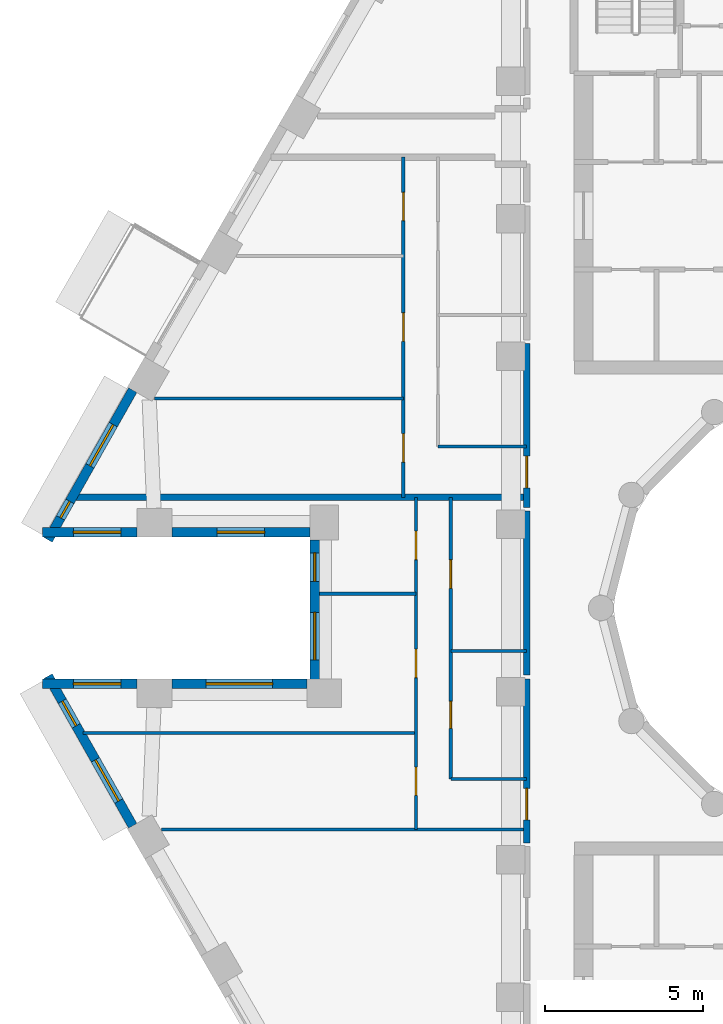
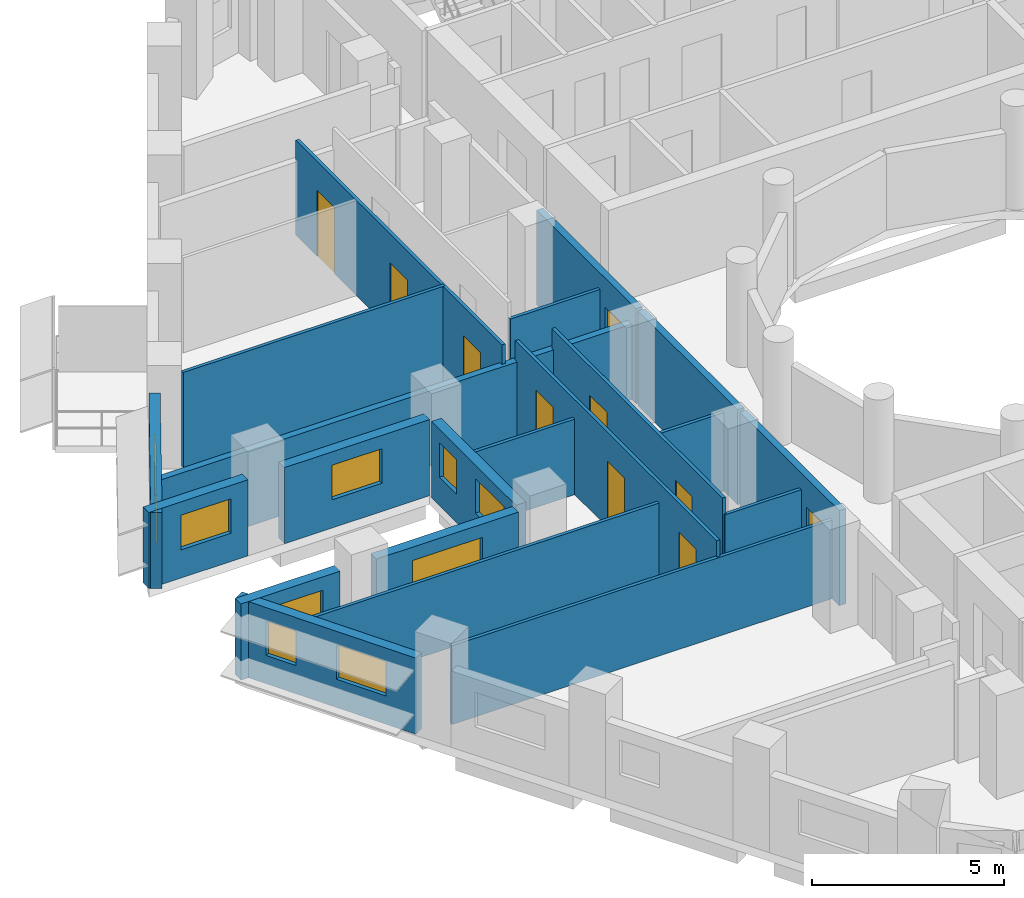
# One storey, part 4 of 14: 21 walls, 10 doors, 10 windows, 20 openings.
"""IFC4 building model written with IfcOpenShell, lengths in metres."""

from ifc_helpers import new_model, si_unit, direction, frame, frame_2d, origin, place, context, subcontext, project, spatial, rectangle, extrude, material, layer, layer_set, type_object, element, fill, save


model = new_model("IFC4")

# Units and contexts
model_context = context("Model", 3, precision=1e-05, world=origin(), true_north=direction((0.0, 1.0)))
body_context = subcontext(model_context, "Body", "Model", "MODEL_VIEW")
ifc_project = project(units=[si_unit("LENGTHUNIT", "METRE"), si_unit("AREAUNIT", "SQUARE_METRE"), si_unit("VOLUMEUNIT", "CUBIC_METRE"), si_unit("PLANEANGLEUNIT", "RADIAN"), si_unit("MASSUNIT", "GRAM", prefix="KILO")], contexts=[model_context])

# Site, building, storey
site_placement = place(None, origin())
site = spatial("IfcSite", under=ifc_project, at=site_placement, CompositionType="ELEMENT")
building_placement = place(site_placement, origin())
building = spatial("IfcBuilding", under=site, at=building_placement, Name="Nakaniwa Court", CompositionType="ELEMENT")
storey_placement = place(building_placement, frame((0.0, 0.0, 262.5)))
storey = spatial("IfcBuildingStorey", under=building, at=storey_placement, Name="L69", CompositionType="ELEMENT", Elevation=262.5)

# Wall, opening, door
ifc_material_1 = material(Name="Acoustic double stud partition")
ifc_layer_1 = layer(ifc_material_1, 0.199951171875)
ifc_layer_set_1 = layer_set([ifc_layer_1], Name="Acoustic double stud partition")
wall_type_1 = type_object("IfcWallType", Name="Acoustic double stud partition 200", PredefinedType="PARTITIONING", material=ifc_layer_set_1)
wall_1_placement = place(storey_placement, frame((70.5, 72.576904296875, 0.0), z_axis=(0.0, 0.0, 1.0), x_axis=(0.0, 1.0, 0.0)))
wall_1 = element("IfcWall", 1, at=wall_1_placement, inside=storey, type_object=wall_type_1, Name="Partition PW-089", PredefinedType="PARTITIONING", context=body_context, shape_type="SweptSolid", body=[
    extrude(rectangle(XDim=5.18603515625, YDim=0.199951171875, at=frame_2d((2.593017578125, 0.0))), origin(), (0.0, 0.0, 1.0), 3.02490234375),
])
opening_1_placement = place(wall_1_placement, frame((0.722900390625, 0.0, 0.0)))
opening_1 = element("IfcOpeningElement", 2, at=opening_1_placement, cuts=wall_1, Name="Opening D-01-04", PredefinedType="OPENING", context=body_context, shape_type="SweptSolid", body=[
    extrude(rectangle(XDim=1.0, YDim=2.10009765625, at=frame_2d((0.5, 1.050048828125))), frame((0.0, 0.10986328125, 0.0), z_axis=(0.0, -1.0, 0.0), x_axis=(1.0, 0.0, 0.0)), (0.0, 0.0, 1.0), 0.219970703125),
])
ifc_material_2 = material(Name="Solid core timber door set, black veneer", Category="wood")
door_type_1 = type_object("IfcDoorType", Name="Flat entrance door 1000", OperationType="NOTDEFINED", PredefinedType="DOOR", material=ifc_material_2)
door_1_placement = place(opening_1_placement, origin())
door_1 = element("IfcDoor", 3, at=door_1_placement, inside=storey, type_object=door_type_1, Name="Door D-01-04 L69-042", OperationType="SINGLE_SWING_LEFT", OverallHeight=2.10009765625, OverallWidth=1.0, PredefinedType="DOOR", context=body_context, shape_type="SweptSolid", body=[
    extrude(rectangle(XDim=1.0, YDim=2.10009765625, at=frame_2d((0.5, 1.050048828125))), frame((0.0, 0.02490234375, 0.0), z_axis=(0.0, -1.0, 0.0), x_axis=(1.0, 0.0, 0.0)), (0.0, 0.0, 1.0), 0.050048828125),
])
fill(opening_1, door_1)

# Wall
wall_2_placement = place(storey_placement, frame((70.5, 77.876953125, 0.0), z_axis=(0.0, 0.0, 1.0), x_axis=(0.0, 1.0, 0.0)))
element("IfcWall", 4, at=wall_2_placement, inside=storey, type_object=wall_type_1, Name="Partition PW-090", PredefinedType="PARTITIONING", context=body_context, shape_type="SweptSolid", body=[
    extrude(rectangle(XDim=5.18603515625, YDim=0.199951171875, at=frame_2d((2.593017578125, 0.0))), origin(), (0.0, 0.0, 1.0), 3.02490234375),
])

# Wall, opening, door
wall_3_placement = place(storey_placement, frame((70.5, 83.177001953125, 0.0), z_axis=(0.0, 0.0, 1.0), x_axis=(0.0, 1.0, 0.0)))
wall_3 = element("IfcWall", 5, at=wall_3_placement, inside=storey, type_object=wall_type_1, Name="Partition PW-091", PredefinedType="PARTITIONING", context=body_context, shape_type="SweptSolid", body=[
    extrude(rectangle(XDim=5.18603515625, YDim=0.199951171875, at=frame_2d((2.593017578125, 0.0))), origin(), (0.0, 0.0, 1.0), 3.02490234375),
])
opening_2_placement = place(wall_3_placement, frame((0.623046875, 0.0, 0.0)))
opening_2 = element("IfcOpeningElement", 6, at=opening_2_placement, cuts=wall_3, Name="Opening D-01-05", PredefinedType="OPENING", context=body_context, shape_type="SweptSolid", body=[
    extrude(rectangle(XDim=1.0, YDim=2.10009765625, at=frame_2d((0.5, 1.050048828125))), frame((0.0, 0.10986328125, 0.0), z_axis=(0.0, -1.0, 0.0), x_axis=(1.0, 0.0, 0.0)), (0.0, 0.0, 1.0), 0.219970703125),
])
door_2_placement = place(opening_2_placement, origin())
door_2 = element("IfcDoor", 7, at=door_2_placement, inside=storey, type_object=door_type_1, Name="Door D-01-05 L69-048", OperationType="SINGLE_SWING_LEFT", OverallHeight=2.10009765625, OverallWidth=1.0, PredefinedType="DOOR", context=body_context, shape_type="SweptSolid", body=[
    extrude(rectangle(XDim=1.0, YDim=2.10009765625, at=frame_2d((0.5, 1.050048828125))), frame((0.0, 0.02490234375, 0.0), z_axis=(0.0, -1.0, 0.0), x_axis=(1.0, 0.0, 0.0)), (0.0, 0.0, 1.0), 0.050048828125),
])
fill(opening_2, door_2)

# Wall
wall_4_placement = place(storey_placement, frame((56.213134765625, 83.5, 0.0), z_axis=(0.0, 0.0, 1.0), x_axis=(1.0, 0.0, 0.0)))
element("IfcWall", 8, at=wall_4_placement, inside=storey, type_object=wall_type_1, Name="Partition PW-116", PredefinedType="PARTITIONING", context=body_context, shape_type="SweptSolid", body=[
    extrude(rectangle(XDim=14.286865234375, YDim=0.199951171875, at=frame_2d((7.1435546875, 0.0))), origin(), (0.0, 0.0, 1.0), 2.405029296875),
])

# Wall, openings, windows
ifc_material_3 = material(Name="Charcoal ceramic cladding")
ifc_layer_2 = layer(ifc_material_3, 0.02, Name="Ceramic cladding")
ifc_material_4 = material(Name="Ventilated air cavity")
ifc_layer_3 = layer(ifc_material_4, 0.04, ventilated=True, Name="Ventilated cavity")
ifc_material_5 = material(Name="Mineral wool insulation")
ifc_layer_4 = layer(ifc_material_5, 0.1, Name="Insulation")
ifc_material_6 = material(Name="Cement bonded sheathing board")
ifc_layer_5 = layer(ifc_material_6, 0.012, Name="Sheathing")
ifc_material_7 = material(Name="Cold-formed galvanised stud frame with mineral wool infill")
ifc_layer_6 = layer(ifc_material_7, 0.1, Name="Stud frame")
ifc_material_8 = material(Name="Fire-rated gypsum plasterboard lining")
ifc_layer_7 = layer(ifc_material_8, 0.028, Name="Lining")
ifc_layer_set_2 = layer_set([ifc_layer_2, ifc_layer_3, ifc_layer_4, ifc_layer_5, ifc_layer_6, ifc_layer_7], Name="Charcoal ceramic faced external wall system")
wall_type_2 = type_object("IfcWallType", Name="Black ceramic faced external wall 300", PredefinedType="SOLIDWALL", material=ifc_layer_set_2)
wall_5_placement = place(storey_placement, frame((58.048095703125, 86.886474609375, 0.0), z_axis=(0.0, 0.0, 1.0), x_axis=(-0.492080931903, -0.870549456641, 0.0)))
wall_5 = element("IfcWall", 9, at=wall_5_placement, inside=storey, type_object=wall_type_2, Name="L69 external wall 14", PredefinedType="SOLIDWALL", context=body_context, shape_type="SweptSolid", body=[
    extrude(rectangle(XDim=5.436767578125, YDim=0.300048828125, at=frame_2d((2.71826171875, 0.0))), origin(), (0.0, 0.0, 1.0), 2.425048828125),
])
opening_3_placement = place(wall_5_placement, frame((1.251220703125, 0.0, 0.89990234375)))
opening_3 = element("IfcOpeningElement", 10, at=opening_3_placement, cuts=wall_5, Name="Opening W5.11", PredefinedType="OPENING", context=body_context, shape_type="SweptSolid", body=[
    extrude(rectangle(XDim=1.5, YDim=1.10009765625, at=frame_2d((0.75, 0.550048828125))), frame((0.0, 0.159912109375, 0.0), z_axis=(0.0, -1.0, 0.0), x_axis=(1.0, 0.0, 0.0)), (0.0, 0.0, 1.0), 0.320068359375),
])
opening_4_placement = place(wall_5_placement, frame((4.03955078125, 0.0, 0.89990234375)))
opening_4 = element("IfcOpeningElement", 11, at=opening_4_placement, cuts=wall_5, Name="Opening W8.12", PredefinedType="OPENING", context=body_context, shape_type="SweptSolid", body=[
    extrude(rectangle(XDim=0.60009765625, YDim=1.10009765625, at=frame_2d((0.300048828125, 0.550048828125))), frame((0.0, 0.159912109375, 0.0), z_axis=(0.0, -1.0, 0.0), x_axis=(1.0, 0.0, 0.0)), (0.0, 0.0, 1.0), 0.320068359375),
])
ifc_material_9 = material(Name="Black anodised aluminium frame with dark low-E laminated double glazing", Category="aluminium")
window_type_1 = type_object("IfcWindowType", Name="Dark glass window 1500x1100 sill 900", PartitioningType="SINGLE_PANEL", PredefinedType="WINDOW", material=ifc_material_9)
window_1_placement = place(opening_3_placement, origin())
window_1 = element("IfcWindow", 12, at=window_1_placement, inside=storey, type_object=window_type_1, Name="L69 bedroom window 14-0", OverallHeight=1.10009765625, OverallWidth=1.5, PartitioningType="SINGLE_PANEL", PredefinedType="WINDOW", context=body_context, shape_type="SweptSolid", body=[
    extrude(rectangle(XDim=1.5, YDim=1.10009765625, at=frame_2d((0.75, 0.550048828125))), frame((0.0, 0.030029296875, 0.0), z_axis=(0.0, -1.0, 0.0), x_axis=(1.0, 0.0, 0.0)), (0.0, 0.0, 1.0), 0.06005859375),
])
fill(opening_3, window_1)
window_type_2 = type_object("IfcWindowType", Name="Dark glass window 600x1100 sill 900", PartitioningType="SINGLE_PANEL", PredefinedType="WINDOW", material=ifc_material_9)
window_2_placement = place(opening_4_placement, origin())
window_2 = element("IfcWindow", 13, at=window_2_placement, inside=storey, type_object=window_type_2, Name="L69 bedroom window 14-1", OverallHeight=1.10009765625, OverallWidth=0.60009765625, PartitioningType="SINGLE_PANEL", PredefinedType="WINDOW", context=body_context, shape_type="SweptSolid", body=[
    extrude(rectangle(XDim=0.60009765625, YDim=1.10009765625, at=frame_2d((0.300048828125, 0.550048828125))), frame((0.0, 0.030029296875, 0.0), z_axis=(0.0, -1.0, 0.0), x_axis=(1.0, 0.0, 0.0)), (0.0, 0.0, 1.0), 0.06005859375),
])
fill(opening_4, window_2)

# Wall, opening, window
wall_6_placement = place(storey_placement, frame((55.2021484375, 82.39990234375, 0.0), z_axis=(0.0, 0.0, 1.0), x_axis=(1.0, 0.0, 0.0)))
wall_6 = element("IfcWall", 14, at=wall_6_placement, inside=storey, type_object=wall_type_2, Name="L69 external wall 15", PredefinedType="SOLIDWALL", context=body_context, shape_type="SweptSolid", body=[
    extrude(rectangle(XDim=2.98779296875, YDim=0.300048828125, at=frame_2d((1.493896484375, 0.0))), origin(), (0.0, 0.0, 1.0), 2.425048828125),
])
opening_5_placement = place(wall_6_placement, frame((0.968994140625, 0.0, 0.89990234375)))
opening_5 = element("IfcOpeningElement", 15, at=opening_5_placement, cuts=wall_6, Name="Opening W5.13", PredefinedType="OPENING", context=body_context, shape_type="SweptSolid", body=[
    extrude(rectangle(XDim=1.5, YDim=1.10009765625, at=frame_2d((0.75, 0.550048828125))), frame((0.0, 0.159912109375, 0.0), z_axis=(0.0, -1.0, 0.0), x_axis=(1.0, 0.0, 0.0)), (0.0, 0.0, 1.0), 0.320068359375),
])
window_3_placement = place(opening_5_placement, origin())
window_3 = element("IfcWindow", 16, at=window_3_placement, inside=storey, type_object=window_type_1, Name="L69 bedroom window 15-0", OverallHeight=1.10009765625, OverallWidth=1.5, PartitioningType="SINGLE_PANEL", PredefinedType="WINDOW", context=body_context, shape_type="SweptSolid", body=[
    extrude(rectangle(XDim=1.5, YDim=1.10009765625, at=frame_2d((0.75, 0.550048828125))), frame((0.0, 0.030029296875, 0.0), z_axis=(0.0, -1.0, 0.0), x_axis=(1.0, 0.0, 0.0)), (0.0, 0.0, 1.0), 0.06005859375),
])
fill(opening_5, window_3)

wall_7_placement = place(storey_placement, frame((59.281982421875, 82.39990234375, 0.0), z_axis=(0.0, 0.0, 1.0), x_axis=(1.0, 0.0, 0.0)))
wall_7 = element("IfcWall", 17, at=wall_7_placement, inside=storey, type_object=wall_type_2, Name="L69 external wall 16", PredefinedType="SOLIDWALL", context=body_context, shape_type="SweptSolid", body=[
    extrude(rectangle(XDim=4.37255859375, YDim=0.300048828125, at=frame_2d((2.186279296875, 0.0))), origin(), (0.0, 0.0, 1.0), 2.425048828125),
])
opening_6_placement = place(wall_7_placement, frame((1.436279296875, 0.0, 0.89990234375)))
opening_6 = element("IfcOpeningElement", 18, at=opening_6_placement, cuts=wall_7, Name="Opening W5.14", PredefinedType="OPENING", context=body_context, shape_type="SweptSolid", body=[
    extrude(rectangle(XDim=1.5, YDim=1.10009765625, at=frame_2d((0.75, 0.550048828125))), frame((0.0, 0.159912109375, 0.0), z_axis=(0.0, -1.0, 0.0), x_axis=(1.0, 0.0, 0.0)), (0.0, 0.0, 1.0), 0.320068359375),
])
window_4_placement = place(opening_6_placement, origin())
window_4 = element("IfcWindow", 19, at=window_4_placement, inside=storey, type_object=window_type_1, Name="L69 bedroom window 16-0", OverallHeight=1.10009765625, OverallWidth=1.5, PartitioningType="SINGLE_PANEL", PredefinedType="WINDOW", context=body_context, shape_type="SweptSolid", body=[
    extrude(rectangle(XDim=1.5, YDim=1.10009765625, at=frame_2d((0.75, 0.550048828125))), frame((0.0, 0.030029296875, 0.0), z_axis=(0.0, -1.0, 0.0), x_axis=(1.0, 0.0, 0.0)), (0.0, 0.0, 1.0), 0.06005859375),
])
fill(opening_6, window_4)

# Wall, openings, windows
wall_8_placement = place(storey_placement, frame((63.800537109375, 82.154052734375, 0.0), z_axis=(0.0, 0.0, 1.0), x_axis=(0.0, -1.0, 0.0)))
wall_8 = element("IfcWall", 20, at=wall_8_placement, inside=storey, type_object=wall_type_2, Name="L69 external wall 17", PredefinedType="SOLIDWALL", context=body_context, shape_type="SweptSolid", body=[
    extrude(rectangle(XDim=4.407958984375, YDim=0.300048828125, at=frame_2d((2.2041015625, 0.0))), origin(), (0.0, 0.0, 1.0), 2.425048828125),
])
opening_7_placement = place(wall_8_placement, frame((0.4130859375, 0.0, 0.89990234375)))
opening_7 = element("IfcOpeningElement", 21, at=opening_7_placement, cuts=wall_8, Name="Opening W9.15", PredefinedType="OPENING", context=body_context, shape_type="SweptSolid", body=[
    extrude(rectangle(XDim=0.89990234375, YDim=1.10009765625, at=frame_2d((0.449951171875, 0.550048828125))), frame((0.0, 0.159912109375, 0.0), z_axis=(0.0, -1.0, 0.0), x_axis=(1.0, 0.0, 0.0)), (0.0, 0.0, 1.0), 0.320068359375),
])
opening_8_placement = place(wall_8_placement, frame((2.293212890625, 0.0, 0.89990234375)))
opening_8 = element("IfcOpeningElement", 22, at=opening_8_placement, cuts=wall_8, Name="Opening W5.16", PredefinedType="OPENING", context=body_context, shape_type="SweptSolid", body=[
    extrude(rectangle(XDim=1.5, YDim=1.10009765625, at=frame_2d((0.75, 0.550048828125))), frame((0.0, 0.159912109375, 0.0), z_axis=(0.0, -1.0, 0.0), x_axis=(1.0, 0.0, 0.0)), (0.0, 0.0, 1.0), 0.320068359375),
])
window_5_placement = place(opening_8_placement, origin())
window_5 = element("IfcWindow", 23, at=window_5_placement, inside=storey, type_object=window_type_1, Name="L69 living window 17-1", OverallHeight=1.10009765625, OverallWidth=1.5, PartitioningType="SINGLE_PANEL", PredefinedType="WINDOW", context=body_context, shape_type="SweptSolid", body=[
    extrude(rectangle(XDim=1.5, YDim=1.10009765625, at=frame_2d((0.75, 0.550048828125))), frame((0.0, 0.030029296875, 0.0), z_axis=(0.0, -1.0, 0.0), x_axis=(1.0, 0.0, 0.0)), (0.0, 0.0, 1.0), 0.06005859375),
])
fill(opening_8, window_5)
window_type_3 = type_object("IfcWindowType", Name="Dark glass window 900x1100 sill 900", PartitioningType="SINGLE_PANEL", PredefinedType="WINDOW", material=ifc_material_9)
window_6_placement = place(opening_7_placement, origin())
window_6 = element("IfcWindow", 24, at=window_6_placement, inside=storey, type_object=window_type_3, Name="L69 bedroom window 17-0", OverallHeight=1.10009765625, OverallWidth=0.89990234375, PartitioningType="SINGLE_PANEL", PredefinedType="WINDOW", context=body_context, shape_type="SweptSolid", body=[
    extrude(rectangle(XDim=0.89990234375, YDim=1.10009765625, at=frame_2d((0.449951171875, 0.550048828125))), frame((0.0, 0.030029296875, 0.0), z_axis=(0.0, -1.0, 0.0), x_axis=(1.0, 0.0, 0.0)), (0.0, 0.0, 1.0), 0.06005859375),
])
fill(opening_7, window_6)

# Wall, opening, window
wall_9_placement = place(storey_placement, frame((63.554443359375, 77.60009765625, 0.0), z_axis=(0.0, 0.0, 1.0), x_axis=(-1.0, 0.0, 0.0)))
wall_9 = element("IfcWall", 25, at=wall_9_placement, inside=storey, type_object=wall_type_2, Name="L69 external wall 18", PredefinedType="SOLIDWALL", context=body_context, shape_type="SweptSolid", body=[
    extrude(rectangle(XDim=4.2724609375, YDim=0.300048828125, at=frame_2d((2.13623046875, 0.0))), origin(), (0.0, 0.0, 1.0), 2.425048828125),
])
opening_9_placement = place(wall_9_placement, frame((1.086181640625, 0.0, 0.89990234375)))
opening_9 = element("IfcOpeningElement", 26, at=opening_9_placement, cuts=wall_9, Name="Opening W7.17", PredefinedType="OPENING", context=body_context, shape_type="SweptSolid", body=[
    extrude(rectangle(XDim=2.10009765625, YDim=1.10009765625, at=frame_2d((1.050048828125, 0.550048828125))), frame((0.0, 0.159912109375, 0.0), z_axis=(0.0, -1.0, 0.0), x_axis=(1.0, 0.0, 0.0)), (0.0, 0.0, 1.0), 0.320068359375),
])
window_type_4 = type_object("IfcWindowType", Name="Dark glass window 2100x1100 sill 900", PartitioningType="SINGLE_PANEL", PredefinedType="WINDOW", material=ifc_material_9)
window_7_placement = place(opening_9_placement, origin())
window_7 = element("IfcWindow", 27, at=window_7_placement, inside=storey, type_object=window_type_4, Name="L69 living window 18-0", OverallHeight=1.10009765625, OverallWidth=2.10009765625, PartitioningType="SINGLE_PANEL", PredefinedType="WINDOW", context=body_context, shape_type="SweptSolid", body=[
    extrude(rectangle(XDim=2.10009765625, YDim=1.10009765625, at=frame_2d((1.050048828125, 0.550048828125))), frame((0.0, 0.030029296875, 0.0), z_axis=(0.0, -1.0, 0.0), x_axis=(1.0, 0.0, 0.0)), (0.0, 0.0, 1.0), 0.06005859375),
])
fill(opening_9, window_7)

wall_10_placement = place(storey_placement, frame((58.18994140625, 77.60009765625, 0.0), z_axis=(0.0, 0.0, 1.0), x_axis=(-1.0, 0.0, 0.0)))
wall_10 = element("IfcWall", 28, at=wall_10_placement, inside=storey, type_object=wall_type_2, Name="L69 external wall 19", PredefinedType="SOLIDWALL", context=body_context, shape_type="SweptSolid", body=[
    extrude(rectangle(XDim=2.98779296875, YDim=0.300048828125, at=frame_2d((1.493896484375, 0.0))), origin(), (0.0, 0.0, 1.0), 2.425048828125),
])
opening_10_placement = place(wall_10_placement, frame((0.51904296875, 0.0, 0.89990234375)))
opening_10 = element("IfcOpeningElement", 29, at=opening_10_placement, cuts=wall_10, Name="Opening W5.18", PredefinedType="OPENING", context=body_context, shape_type="SweptSolid", body=[
    extrude(rectangle(XDim=1.5, YDim=1.10009765625, at=frame_2d((0.75, 0.550048828125))), frame((0.0, 0.159912109375, 0.0), z_axis=(0.0, -1.0, 0.0), x_axis=(1.0, 0.0, 0.0)), (0.0, 0.0, 1.0), 0.320068359375),
])
window_8_placement = place(opening_10_placement, origin())
window_8 = element("IfcWindow", 30, at=window_8_placement, inside=storey, type_object=window_type_1, Name="L69 living window 19-0", OverallHeight=1.10009765625, OverallWidth=1.5, PartitioningType="SINGLE_PANEL", PredefinedType="WINDOW", context=body_context, shape_type="SweptSolid", body=[
    extrude(rectangle(XDim=1.5, YDim=1.10009765625, at=frame_2d((0.75, 0.550048828125))), frame((0.0, 0.030029296875, 0.0), z_axis=(0.0, -1.0, 0.0), x_axis=(1.0, 0.0, 0.0)), (0.0, 0.0, 1.0), 0.06005859375),
])
fill(opening_10, window_8)

# Wall, openings, windows
wall_11_placement = place(storey_placement, frame((55.372802734375, 77.846435546875, 0.0), z_axis=(0.0, 0.0, 1.0), x_axis=(0.492080931903, -0.870549456641, 0.0)))
wall_11 = element("IfcWall", 31, at=wall_11_placement, inside=storey, type_object=wall_type_2, Name="L69 external wall 20", PredefinedType="SOLIDWALL", context=body_context, shape_type="SweptSolid", body=[
    extrude(rectangle(XDim=5.436767578125, YDim=0.300048828125, at=frame_2d((2.71826171875, 0.0))), origin(), (0.0, 0.0, 1.0), 2.425048828125),
])
opening_11_placement = place(wall_11_placement, frame((0.906494140625, 0.0, 0.89990234375)))
opening_11 = element("IfcOpeningElement", 32, at=opening_11_placement, cuts=wall_11, Name="Opening W9.19", PredefinedType="OPENING", context=body_context, shape_type="SweptSolid", body=[
    extrude(rectangle(XDim=0.89990234375, YDim=1.10009765625, at=frame_2d((0.449951171875, 0.550048828125))), frame((0.0, 0.159912109375, 0.0), z_axis=(0.0, -1.0, 0.0), x_axis=(1.0, 0.0, 0.0)), (0.0, 0.0, 1.0), 0.320068359375),
])
opening_12_placement = place(wall_11_placement, frame((3.036376953125, 0.0, 0.89990234375)))
opening_12 = element("IfcOpeningElement", 33, at=opening_12_placement, cuts=wall_11, Name="Opening W5.20", PredefinedType="OPENING", context=body_context, shape_type="SweptSolid", body=[
    extrude(rectangle(XDim=1.5, YDim=1.10009765625, at=frame_2d((0.75, 0.550048828125))), frame((0.0, 0.159912109375, 0.0), z_axis=(0.0, -1.0, 0.0), x_axis=(1.0, 0.0, 0.0)), (0.0, 0.0, 1.0), 0.320068359375),
])
window_9_placement = place(opening_12_placement, origin())
window_9 = element("IfcWindow", 34, at=window_9_placement, inside=storey, type_object=window_type_1, Name="L69 bedroom window 20-1", OverallHeight=1.10009765625, OverallWidth=1.5, PartitioningType="SINGLE_PANEL", PredefinedType="WINDOW", context=body_context, shape_type="SweptSolid", body=[
    extrude(rectangle(XDim=1.5, YDim=1.10009765625, at=frame_2d((0.75, 0.550048828125))), frame((0.0, 0.030029296875, 0.0), z_axis=(0.0, -1.0, 0.0), x_axis=(1.0, 0.0, 0.0)), (0.0, 0.0, 1.0), 0.06005859375),
])
fill(opening_12, window_9)
window_10_placement = place(opening_11_placement, origin())
window_10 = element("IfcWindow", 35, at=window_10_placement, inside=storey, type_object=window_type_3, Name="L69 living window 20-0", OverallHeight=1.10009765625, OverallWidth=0.89990234375, PartitioningType="SINGLE_PANEL", PredefinedType="WINDOW", context=body_context, shape_type="SweptSolid", body=[
    extrude(rectangle(XDim=0.89990234375, YDim=1.10009765625, at=frame_2d((0.449951171875, 0.550048828125))), frame((0.0, 0.030029296875, 0.0), z_axis=(0.0, -1.0, 0.0), x_axis=(1.0, 0.0, 0.0)), (0.0, 0.0, 1.0), 0.06005859375),
])
fill(opening_11, window_10)

# Walls
ifc_material_10 = material(Name="Single stud plasterboard partition")
ifc_layer_8 = layer(ifc_material_10, 0.10009765625)
ifc_layer_set_3 = layer_set([ifc_layer_8], Name="Single stud plasterboard partition")
wall_type_3 = type_object("IfcWallType", Name="Single stud plasterboard partition 100", PredefinedType="PARTITIONING", material=ifc_layer_set_3)
wall_12_placement = place(storey_placement, frame((58.94970703125, 73.0, 0.0), z_axis=(0.0, 0.0, 1.0), x_axis=(1.0, 0.0, 0.0)))
element("IfcWall", 36, at=wall_12_placement, inside=storey, type_object=wall_type_3, Name="Partition PW-112", PredefinedType="PARTITIONING", context=body_context, shape_type="SweptSolid", body=[
    extrude(rectangle(XDim=11.55029296875, YDim=0.10009765625, at=frame_2d((5.775146484375, 0.0))), origin(), (0.0, 0.0, 1.0), 2.5048828125),
])
for number, where, z_axis, x_axis, name in (
    (37, (68.10009765625, 78.64501953125, 0.0), (0.0, 0.0, 1.0), (1.0, 0.0, 0.0), "Partition PW-113"),
    (38, (68.10009765625, 74.60009765625, 0.0), (0.0, 0.0, 1.0), (1.0, 0.0, 0.0), "Partition PW-114"),
):
    element("IfcWall", number, at=place(storey_placement, frame(where, z_axis=z_axis, x_axis=x_axis)), inside=storey, type_object=wall_type_3, Name=name, PredefinedType="PARTITIONING", context=body_context, shape_type="SweptSolid", body=[
        extrude(rectangle(XDim=2.39990234375, YDim=0.10009765625, at=frame_2d((1.199951171875, 0.0))), origin(), (0.0, 0.0, 1.0), 2.5048828125),
    ])

# Wall, openings, doors
wall_13_placement = place(storey_placement, frame((68.10009765625, 83.5, 0.0), z_axis=(0.0, 0.0, 1.0), x_axis=(0.0, -1.0, 0.0)))
wall_13 = element("IfcWall", 39, at=wall_13_placement, inside=storey, type_object=wall_type_3, Name="Partition PW-115", PredefinedType="PARTITIONING", context=body_context, shape_type="SweptSolid", body=[
    extrude(rectangle(XDim=8.89990234375, YDim=0.10009765625, at=frame_2d((4.449951171875, 0.0))), origin(), (0.0, 0.0, 1.0), 3.02490234375),
])
opening_13_placement = place(wall_13_placement, frame((6.451904296875, 0.0, 0.0)))
opening_13 = element("IfcOpeningElement", 40, at=opening_13_placement, cuts=wall_13, Name="Opening D-03-04", PredefinedType="OPENING", context=body_context, shape_type="SweptSolid", body=[
    extrude(rectangle(XDim=0.85009765625, YDim=2.10009765625, at=frame_2d((0.425048828125, 1.050048828125))), frame((0.0, 0.06005859375, 0.0), z_axis=(0.0, -1.0, 0.0), x_axis=(1.0, 0.0, 0.0)), (0.0, 0.0, 1.0), 0.1201171875),
])
opening_14_placement = place(wall_13_placement, frame((1.97705078125, 0.0, 0.0)))
opening_14 = element("IfcOpeningElement", 41, at=opening_14_placement, cuts=wall_13, Name="Opening D-33-07", PredefinedType="OPENING", context=body_context, shape_type="SweptSolid", body=[
    extrude(rectangle(XDim=0.89990234375, YDim=2.10009765625, at=frame_2d((0.449951171875, 1.050048828125))), frame((0.0, 0.06005859375, 0.0), z_axis=(0.0, -1.0, 0.0), x_axis=(1.0, 0.0, 0.0)), (0.0, 0.0, 1.0), 0.1201171875),
])
ifc_material_11 = material(Name="Moisture sealed timber door set", Category="wood")
door_type_2 = type_object("IfcDoorType", Name="Bathroom door 850", OperationType="NOTDEFINED", PredefinedType="DOOR", material=ifc_material_11)
door_3_placement = place(opening_13_placement, origin())
door_3 = element("IfcDoor", 42, at=door_3_placement, inside=storey, type_object=door_type_2, Name="Door D-03-04 L69-043", OperationType="SINGLE_SWING_RIGHT", OverallHeight=2.10009765625, OverallWidth=0.85009765625, PredefinedType="DOOR", context=body_context, shape_type="SweptSolid", body=[
    extrude(rectangle(XDim=0.85009765625, YDim=2.10009765625, at=frame_2d((0.425048828125, 1.050048828125))), frame((0.0, 0.02490234375, 0.0), z_axis=(0.0, -1.0, 0.0), x_axis=(1.0, 0.0, 0.0)), (0.0, 0.0, 1.0), 0.050048828125),
])
fill(opening_13, door_3)
door_type_3 = type_object("IfcDoorType", Name="Internal door 900", OperationType="NOTDEFINED", PredefinedType="DOOR", material=ifc_material_2)
door_4_placement = place(opening_14_placement, origin())
door_4 = element("IfcDoor", 43, at=door_4_placement, inside=storey, type_object=door_type_3, Name="Door D-33-07 L69-044", OperationType="SINGLE_SWING_LEFT", OverallHeight=2.10009765625, OverallWidth=0.89990234375, PredefinedType="DOOR", context=body_context, shape_type="SweptSolid", body=[
    extrude(rectangle(XDim=0.89990234375, YDim=2.10009765625, at=frame_2d((0.449951171875, 1.050048828125))), frame((0.0, 0.02490234375, 0.0), z_axis=(0.0, -1.0, 0.0), x_axis=(1.0, 0.0, 0.0)), (0.0, 0.0, 1.0), 0.050048828125),
])
fill(opening_14, door_4)

wall_14_placement = place(storey_placement, frame((67.0, 73.0, 0.0), z_axis=(0.0, 0.0, 1.0), x_axis=(0.0, 1.0, 0.0)))
wall_14 = element("IfcWall", 44, at=wall_14_placement, inside=storey, type_object=wall_type_3, Name="Partition PW-117", PredefinedType="PARTITIONING", context=body_context, shape_type="SweptSolid", body=[
    extrude(rectangle(XDim=10.5, YDim=0.10009765625, at=frame_2d((5.25, 0.0))), origin(), (0.0, 0.0, 1.0), 3.02490234375),
])
opening_15_placement = place(wall_14_placement, frame((1.073974609375, 0.0, 0.0)))
opening_15 = element("IfcOpeningElement", 45, at=opening_15_placement, cuts=wall_14, Name="Opening D-33-08", PredefinedType="OPENING", context=body_context, shape_type="SweptSolid", body=[
    extrude(rectangle(XDim=0.89990234375, YDim=2.10009765625, at=frame_2d((0.449951171875, 1.050048828125))), frame((0.0, 0.06005859375, 0.0), z_axis=(0.0, -1.0, 0.0), x_axis=(1.0, 0.0, 0.0)), (0.0, 0.0, 1.0), 0.1201171875),
])
opening_16_placement = place(wall_14_placement, frame((4.800048828125, 0.0, 0.0)))
opening_16 = element("IfcOpeningElement", 46, at=opening_16_placement, cuts=wall_14, Name="Opening D-33-09", PredefinedType="OPENING", context=body_context, shape_type="SweptSolid", body=[
    extrude(rectangle(XDim=0.89990234375, YDim=2.10009765625, at=frame_2d((0.449951171875, 1.050048828125))), frame((0.0, 0.06005859375, 0.0), z_axis=(0.0, -1.0, 0.0), x_axis=(1.0, 0.0, 0.0)), (0.0, 0.0, 1.0), 0.1201171875),
])
opening_17_placement = place(wall_14_placement, frame((8.52587890625, 0.0, 0.0)))
opening_17 = element("IfcOpeningElement", 47, at=opening_17_placement, cuts=wall_14, Name="Opening D-33-10", PredefinedType="OPENING", context=body_context, shape_type="SweptSolid", body=[
    extrude(rectangle(XDim=0.89990234375, YDim=2.10009765625, at=frame_2d((0.449951171875, 1.050048828125))), frame((0.0, 0.06005859375, 0.0), z_axis=(0.0, -1.0, 0.0), x_axis=(1.0, 0.0, 0.0)), (0.0, 0.0, 1.0), 0.1201171875),
])
door_5_placement = place(opening_15_placement, origin())
door_5 = element("IfcDoor", 48, at=door_5_placement, inside=storey, type_object=door_type_3, Name="Door D-33-08 L69-045", OperationType="SINGLE_SWING_RIGHT", OverallHeight=2.10009765625, OverallWidth=0.89990234375, PredefinedType="DOOR", context=body_context, shape_type="SweptSolid", body=[
    extrude(rectangle(XDim=0.89990234375, YDim=2.10009765625, at=frame_2d((0.449951171875, 1.050048828125))), frame((0.0, 0.02490234375, 0.0), z_axis=(0.0, -1.0, 0.0), x_axis=(1.0, 0.0, 0.0)), (0.0, 0.0, 1.0), 0.050048828125),
])
fill(opening_15, door_5)
door_6_placement = place(opening_16_placement, origin())
door_6 = element("IfcDoor", 49, at=door_6_placement, inside=storey, type_object=door_type_3, Name="Door D-33-09 L69-046", OperationType="SINGLE_SWING_LEFT", OverallHeight=2.10009765625, OverallWidth=0.89990234375, PredefinedType="DOOR", context=body_context, shape_type="SweptSolid", body=[
    extrude(rectangle(XDim=0.89990234375, YDim=2.10009765625, at=frame_2d((0.449951171875, 1.050048828125))), frame((0.0, 0.02490234375, 0.0), z_axis=(0.0, -1.0, 0.0), x_axis=(1.0, 0.0, 0.0)), (0.0, 0.0, 1.0), 0.050048828125),
])
fill(opening_16, door_6)
door_7_placement = place(opening_17_placement, origin())
door_7 = element("IfcDoor", 50, at=door_7_placement, inside=storey, type_object=door_type_3, Name="Door D-33-10 L69-047", OperationType="SINGLE_SWING_RIGHT", OverallHeight=2.10009765625, OverallWidth=0.89990234375, PredefinedType="DOOR", context=body_context, shape_type="SweptSolid", body=[
    extrude(rectangle(XDim=0.89990234375, YDim=2.10009765625, at=frame_2d((0.449951171875, 1.050048828125))), frame((0.0, 0.02490234375, 0.0), z_axis=(0.0, -1.0, 0.0), x_axis=(1.0, 0.0, 0.0)), (0.0, 0.0, 1.0), 0.050048828125),
])
fill(opening_17, door_7)

# Walls
wall_15_placement = place(storey_placement, frame((56.473876953125, 76.048095703125, 0.0), z_axis=(0.0, 0.0, 1.0), x_axis=(1.0, 0.0, 0.0)))
element("IfcWall", 51, at=wall_15_placement, inside=storey, type_object=wall_type_3, Name="Partition PW-118", PredefinedType="PARTITIONING", context=body_context, shape_type="SweptSolid", body=[
    extrude(rectangle(XDim=10.526123046875, YDim=0.10009765625, at=frame_2d((5.26318359375, 0.0))), origin(), (0.0, 0.0, 1.0), 2.405029296875),
])
wall_16_placement = place(storey_placement, frame((63.950439453125, 80.451904296875, 0.0), z_axis=(0.0, 0.0, 1.0), x_axis=(1.0, 0.0, 0.0)))
element("IfcWall", 52, at=wall_16_placement, inside=storey, type_object=wall_type_3, Name="Partition PW-119", PredefinedType="PARTITIONING", context=body_context, shape_type="SweptSolid", body=[
    extrude(rectangle(XDim=3.049560546875, YDim=0.10009765625, at=frame_2d((1.52490234375, 0.0))), origin(), (0.0, 0.0, 1.0), 2.405029296875),
])
wall_17_placement = place(storey_placement, frame((67.699951171875, 85.10009765625, 0.0), z_axis=(0.0, 0.0, 1.0), x_axis=(1.0, 0.0, 0.0)))
element("IfcWall", 53, at=wall_17_placement, inside=storey, type_object=wall_type_3, Name="Partition PW-121", PredefinedType="PARTITIONING", context=body_context, shape_type="SweptSolid", body=[
    extrude(rectangle(XDim=2.800048828125, YDim=0.10009765625, at=frame_2d((1.39990234375, 0.0))), origin(), (0.0, 0.0, 1.0), 2.5048828125),
])

# Wall, openings, doors
wall_18_placement = place(storey_placement, frame((66.60009765625, 83.5, 0.0), z_axis=(0.0, 0.0, 1.0), x_axis=(0.0, 1.0, 0.0)))
wall_18 = element("IfcWall", 54, at=wall_18_placement, inside=storey, type_object=wall_type_3, Name="Partition PW-123", PredefinedType="PARTITIONING", context=body_context, shape_type="SweptSolid", body=[
    extrude(rectangle(XDim=10.75, YDim=0.10009765625, at=frame_2d((5.375, 0.0))), origin(), (0.0, 0.0, 1.0), 3.02490234375),
])
opening_18_placement = place(wall_18_placement, frame((1.111083984375, 0.0, 0.0)))
opening_18 = element("IfcOpeningElement", 55, at=opening_18_placement, cuts=wall_18, Name="Opening D-33-12", PredefinedType="OPENING", context=body_context, shape_type="SweptSolid", body=[
    extrude(rectangle(XDim=0.89990234375, YDim=2.10009765625, at=frame_2d((0.449951171875, 1.050048828125))), frame((0.0, 0.06005859375, 0.0), z_axis=(0.0, -1.0, 0.0), x_axis=(1.0, 0.0, 0.0)), (0.0, 0.0, 1.0), 0.1201171875),
])
opening_19_placement = place(wall_18_placement, frame((4.925048828125, 0.0, 0.0)))
opening_19 = element("IfcOpeningElement", 56, at=opening_19_placement, cuts=wall_18, Name="Opening D-33-13", PredefinedType="OPENING", context=body_context, shape_type="SweptSolid", body=[
    extrude(rectangle(XDim=0.89990234375, YDim=2.10009765625, at=frame_2d((0.449951171875, 1.050048828125))), frame((0.0, 0.06005859375, 0.0), z_axis=(0.0, -1.0, 0.0), x_axis=(1.0, 0.0, 0.0)), (0.0, 0.0, 1.0), 0.1201171875),
])
opening_20_placement = place(wall_18_placement, frame((8.739990234375, 0.0, 0.0)))
opening_20 = element("IfcOpeningElement", 57, at=opening_20_placement, cuts=wall_18, Name="Opening D-33-14", PredefinedType="OPENING", context=body_context, shape_type="SweptSolid", body=[
    extrude(rectangle(XDim=0.89990234375, YDim=2.10009765625, at=frame_2d((0.449951171875, 1.050048828125))), frame((0.0, 0.06005859375, 0.0), z_axis=(0.0, -1.0, 0.0), x_axis=(1.0, 0.0, 0.0)), (0.0, 0.0, 1.0), 0.1201171875),
])
door_8_placement = place(opening_18_placement, origin())
door_8 = element("IfcDoor", 58, at=door_8_placement, inside=storey, type_object=door_type_3, Name="Door D-33-12 L69-051", OperationType="SINGLE_SWING_RIGHT", OverallHeight=2.10009765625, OverallWidth=0.89990234375, PredefinedType="DOOR", context=body_context, shape_type="SweptSolid", body=[
    extrude(rectangle(XDim=0.89990234375, YDim=2.10009765625, at=frame_2d((0.449951171875, 1.050048828125))), frame((0.0, 0.02490234375, 0.0), z_axis=(0.0, -1.0, 0.0), x_axis=(1.0, 0.0, 0.0)), (0.0, 0.0, 1.0), 0.050048828125),
])
fill(opening_18, door_8)
door_9_placement = place(opening_19_placement, origin())
door_9 = element("IfcDoor", 59, at=door_9_placement, inside=storey, type_object=door_type_3, Name="Door D-33-13 L69-052", OperationType="SINGLE_SWING_LEFT", OverallHeight=2.10009765625, OverallWidth=0.89990234375, PredefinedType="DOOR", context=body_context, shape_type="SweptSolid", body=[
    extrude(rectangle(XDim=0.89990234375, YDim=2.10009765625, at=frame_2d((0.449951171875, 1.050048828125))), frame((0.0, 0.02490234375, 0.0), z_axis=(0.0, -1.0, 0.0), x_axis=(1.0, 0.0, 0.0)), (0.0, 0.0, 1.0), 0.050048828125),
])
fill(opening_19, door_9)
door_10_placement = place(opening_20_placement, origin())
door_10 = element("IfcDoor", 60, at=door_10_placement, inside=storey, type_object=door_type_3, Name="Door D-33-14 L69-053", OperationType="SINGLE_SWING_RIGHT", OverallHeight=2.10009765625, OverallWidth=0.89990234375, PredefinedType="DOOR", context=body_context, shape_type="SweptSolid", body=[
    extrude(rectangle(XDim=0.89990234375, YDim=2.10009765625, at=frame_2d((0.449951171875, 1.050048828125))), frame((0.0, 0.02490234375, 0.0), z_axis=(0.0, -1.0, 0.0), x_axis=(1.0, 0.0, 0.0)), (0.0, 0.0, 1.0), 0.050048828125),
])
fill(opening_20, door_10)

# Wall
wall_19_placement = place(storey_placement, frame((58.73095703125, 86.62109375, 0.0), z_axis=(0.0, 0.0, 1.0), x_axis=(1.0, 0.0, 0.0)))
element("IfcWall", 61, at=wall_19_placement, inside=storey, type_object=wall_type_3, Name="Partition PW-124", PredefinedType="PARTITIONING", context=body_context, shape_type="SweptSolid", body=[
    extrude(rectangle(XDim=7.869140625, YDim=0.10009765625, at=frame_2d((3.9345703125, 0.0))), origin(), (0.0, 0.0, 1.0), 3.02490234375),
])

save(model, "model.ifc")
